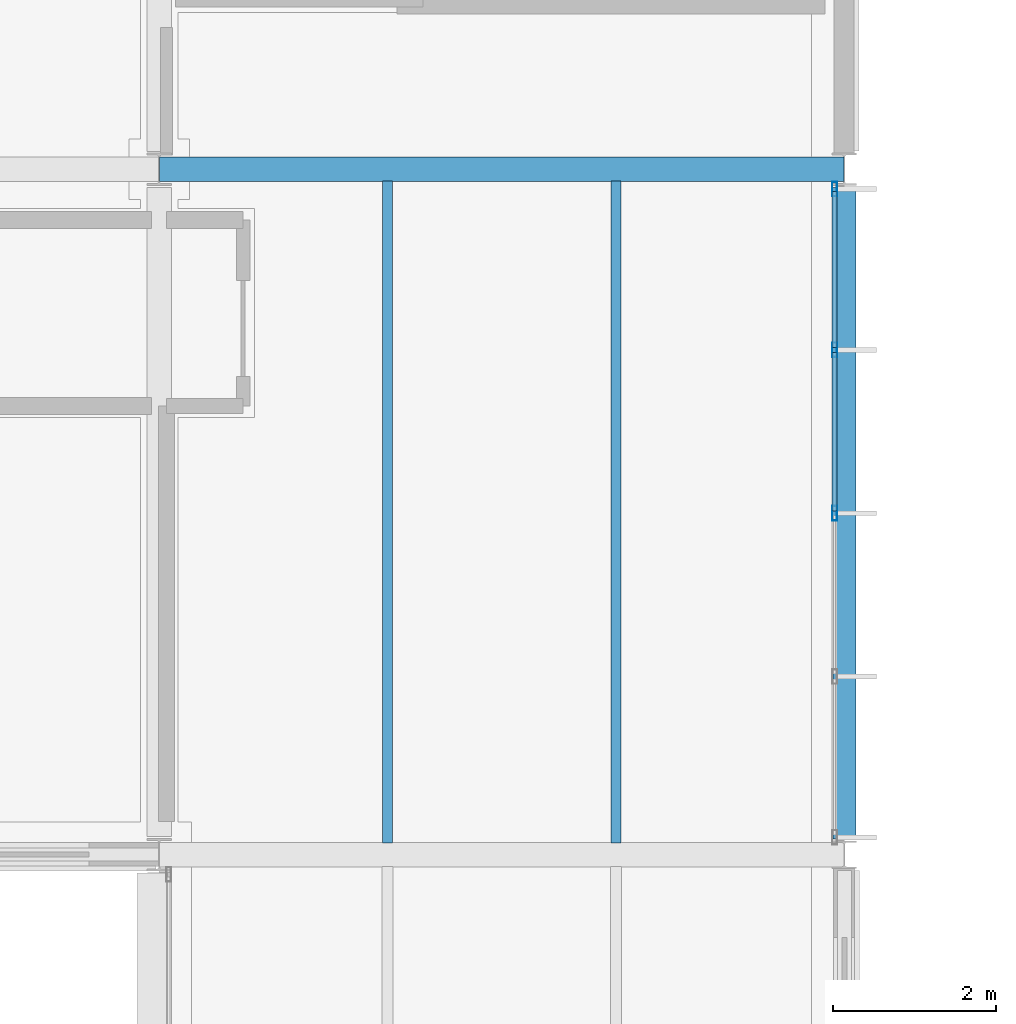
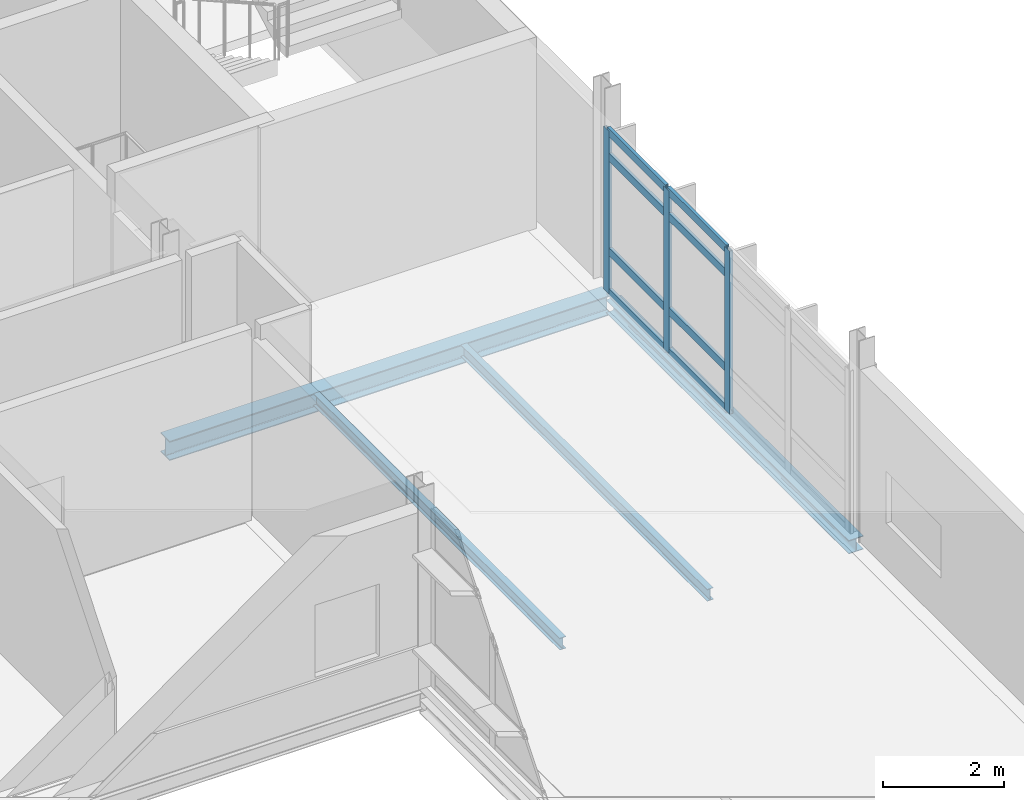
# One storey, part 43 of 66: 11 members, 4 beams, 1 element without a shape of its own.
"""IFC4 building model written with IfcOpenShell, lengths in metres."""

from ifc_helpers import new_model, si_unit, direction, frame, origin, origin_2d, place, context, subcontext, project, spatial, hollow_rectangle, i_section, extrude, material, material_profile, profile_set, type_object, element, aggregate, save


model = new_model("IFC4")

# Units and contexts
model_context = context("Model", 3, precision=1e-05, world=origin(), true_north=direction((0.0, 1.0)))
body_context = subcontext(model_context, "Body", "Model", "MODEL_VIEW")
ifc_project = project(units=[si_unit("LENGTHUNIT", "METRE"), si_unit("AREAUNIT", "SQUARE_METRE"), si_unit("VOLUMEUNIT", "CUBIC_METRE"), si_unit("PLANEANGLEUNIT", "RADIAN"), si_unit("MASSUNIT", "GRAM", prefix="KILO")], contexts=[model_context])

# Site, building, storey
site_placement = place(None, origin())
site = spatial("IfcSite", under=ifc_project, at=site_placement, CompositionType="ELEMENT")
building_placement = place(site_placement, origin())
building = spatial("IfcBuilding", under=site, at=building_placement, Name="Mersafa Astral City Hall", CompositionType="ELEMENT")
storey_placement = place(building_placement, frame((0.0, 0.0, 22.050048828125)))
storey = spatial("IfcBuildingStorey", under=building, at=storey_placement, Name="L05", CompositionType="ELEMENT", Elevation=22.050048828125)

# Curtain wall, members
ifc_material_1 = material(Name="Anodised bronze aluminium framing", Category="aluminium")
curtain_wall_type = type_object("IfcCurtainWallType", Name="ENV-CW-1", PredefinedType="USERDEFINED", material=ifc_material_1)
curtain_wall_placement = place(storey_placement, origin())
curtain_wall = element("IfcCurtainWall", 1, at=curtain_wall_placement, inside=storey, type_object=curtain_wall_type, Name="L05 Unitised solar curtain wall 228", ObjectType="UNITISED CURTAIN WALL", PredefinedType="USERDEFINED")
ifc_material_profile_1 = material_profile(ifc_material_1, hollow_rectangle(XDim=0.06005859375, YDim=0.179931640625, WallThickness=0.00390625, at=origin_2d()), Name="RHS 60x180x4")
ifc_profile_set_1 = profile_set([ifc_material_profile_1], Name="Anodised bronze aluminium framing")
member_type_1 = type_object("IfcMemberType", Name="ENV-CW-MUL-1", PredefinedType="MULLION", material=ifc_profile_set_1)
member_1_placement = place(storey_placement, frame((176.280029296875, 104.985107421875, -0.001953125), z_axis=(0.0, 0.0, 1.0), x_axis=(-1.0, 0.0, 0.0)))
member_1 = element("IfcMember", 2, at=member_1_placement, type_object=member_type_1, Name="CW-1 mullion 3", PredefinedType="MULLION", context=body_context, shape_type="SweptSolid", body=[
    extrude(hollow_rectangle(XDim=0.06005859375, YDim=0.179931640625, WallThickness=0.00390625, at=origin_2d()), origin(), (0.0, 0.0, 1.0), 3.27392578125),
])
member_2_placement = place(storey_placement, frame((176.280029296875, 106.986572265625, -0.001953125), z_axis=(0.0, 0.0, 1.0), x_axis=(-1.0, 0.0, 0.0)))
member_2 = element("IfcMember", 3, at=member_2_placement, type_object=member_type_1, Name="CW-1 mullion 4", PredefinedType="MULLION", context=body_context, shape_type="SweptSolid", body=[
    extrude(hollow_rectangle(XDim=0.06005859375, YDim=0.179931640625, WallThickness=0.00390625, at=origin_2d()), origin(), (0.0, 0.0, 1.0), 3.27392578125),
])
member_3_placement = place(storey_placement, frame((176.280029296875, 108.9580078125, -0.001953125), z_axis=(0.0, 0.0, 1.0), x_axis=(-1.0, 0.0, 0.0)))
member_3 = element("IfcMember", 4, at=member_3_placement, type_object=member_type_1, Name="CW-1 mullion 5", PredefinedType="MULLION", context=body_context, shape_type="SweptSolid", body=[
    extrude(hollow_rectangle(XDim=0.06005859375, YDim=0.179931640625, WallThickness=0.00390625, at=origin_2d()), origin(), (0.0, 0.0, 1.0), 3.27392578125),
])
ifc_material_profile_2 = material_profile(ifc_material_1, hollow_rectangle(XDim=0.06005859375, YDim=0.159912109375, WallThickness=0.00390625, at=origin_2d()), Name="RHS 60x160x4")
ifc_profile_set_2 = profile_set([ifc_material_profile_2], Name="Anodised bronze aluminium framing")
member_type_2 = type_object("IfcMemberType", Name="ENV-CW-TRN-2", PredefinedType="USERDEFINED", material=ifc_profile_set_2)
member_4_placement = place(storey_placement, frame((176.280029296875, 105.014892578125, 0.02783203125), z_axis=(0.0, 1.0, 0.0), x_axis=(-1.0, 0.0, 0.0)))
member_4 = element("IfcMember", 5, at=member_4_placement, type_object=member_type_2, Name="CW-1 transom 3.1", ObjectType="TRANSOM", PredefinedType="USERDEFINED", context=body_context, shape_type="SweptSolid", body=[
    extrude(hollow_rectangle(XDim=0.06005859375, YDim=0.159912109375, WallThickness=0.00390625, at=origin_2d()), origin(), (0.0, 0.0, 1.0), 1.941650390625),
])
member_5_placement = place(storey_placement, frame((176.280029296875, 105.014892578125, 0.849853515625), z_axis=(0.0, 1.0, 0.0), x_axis=(-1.0, 0.0, 0.0)))
member_5 = element("IfcMember", 6, at=member_5_placement, type_object=member_type_2, Name="CW-1 transom 3.2", ObjectType="TRANSOM", PredefinedType="USERDEFINED", context=body_context, shape_type="SweptSolid", body=[
    extrude(hollow_rectangle(XDim=0.06005859375, YDim=0.159912109375, WallThickness=0.00390625, at=origin_2d()), origin(), (0.0, 0.0, 1.0), 1.941650390625),
])
member_6_placement = place(storey_placement, frame((176.280029296875, 105.014892578125, 2.75), z_axis=(0.0, 1.0, 0.0), x_axis=(-1.0, 0.0, 0.0)))
member_6 = element("IfcMember", 7, at=member_6_placement, type_object=member_type_2, Name="CW-1 transom 3.3", ObjectType="TRANSOM", PredefinedType="USERDEFINED", context=body_context, shape_type="SweptSolid", body=[
    extrude(hollow_rectangle(XDim=0.06005859375, YDim=0.159912109375, WallThickness=0.00390625, at=origin_2d()), origin(), (0.0, 0.0, 1.0), 1.941650390625),
])
member_7_placement = place(storey_placement, frame((176.280029296875, 105.014892578125, 3.241943359375), z_axis=(0.0, 1.0, 0.0), x_axis=(-1.0, 0.0, 0.0)))
member_7 = element("IfcMember", 8, at=member_7_placement, type_object=member_type_2, Name="CW-1 transom 3.4", ObjectType="TRANSOM", PredefinedType="USERDEFINED", context=body_context, shape_type="SweptSolid", body=[
    extrude(hollow_rectangle(XDim=0.06005859375, YDim=0.159912109375, WallThickness=0.00390625, at=origin_2d()), origin(), (0.0, 0.0, 1.0), 1.941650390625),
])
member_8_placement = place(storey_placement, frame((176.280029296875, 107.0166015625, 0.02783203125), z_axis=(0.0, 1.0, 0.0), x_axis=(-1.0, 0.0, 0.0)))
member_8 = element("IfcMember", 9, at=member_8_placement, type_object=member_type_2, Name="CW-1 transom 4.1", ObjectType="TRANSOM", PredefinedType="USERDEFINED", context=body_context, shape_type="SweptSolid", body=[
    extrude(hollow_rectangle(XDim=0.06005859375, YDim=0.159912109375, WallThickness=0.00390625, at=origin_2d()), origin(), (0.0, 0.0, 1.0), 1.911376953125),
])
member_9_placement = place(storey_placement, frame((176.280029296875, 107.0166015625, 0.849853515625), z_axis=(0.0, 1.0, 0.0), x_axis=(-1.0, 0.0, 0.0)))
member_9 = element("IfcMember", 10, at=member_9_placement, type_object=member_type_2, Name="CW-1 transom 4.2", ObjectType="TRANSOM", PredefinedType="USERDEFINED", context=body_context, shape_type="SweptSolid", body=[
    extrude(hollow_rectangle(XDim=0.06005859375, YDim=0.159912109375, WallThickness=0.00390625, at=origin_2d()), origin(), (0.0, 0.0, 1.0), 1.911376953125),
])
member_10_placement = place(storey_placement, frame((176.280029296875, 107.0166015625, 2.75), z_axis=(0.0, 1.0, 0.0), x_axis=(-1.0, 0.0, 0.0)))
member_10 = element("IfcMember", 11, at=member_10_placement, type_object=member_type_2, Name="CW-1 transom 4.3", ObjectType="TRANSOM", PredefinedType="USERDEFINED", context=body_context, shape_type="SweptSolid", body=[
    extrude(hollow_rectangle(XDim=0.06005859375, YDim=0.159912109375, WallThickness=0.00390625, at=origin_2d()), origin(), (0.0, 0.0, 1.0), 1.911376953125),
])
member_11_placement = place(storey_placement, frame((176.280029296875, 107.0166015625, 3.241943359375), z_axis=(0.0, 1.0, 0.0), x_axis=(-1.0, 0.0, 0.0)))
member_11 = element("IfcMember", 12, at=member_11_placement, type_object=member_type_2, Name="CW-1 transom 4.4", ObjectType="TRANSOM", PredefinedType="USERDEFINED", context=body_context, shape_type="SweptSolid", body=[
    extrude(hollow_rectangle(XDim=0.06005859375, YDim=0.159912109375, WallThickness=0.00390625, at=origin_2d()), origin(), (0.0, 0.0, 1.0), 1.911376953125),
])
aggregate(curtain_wall, [member_1, member_2, member_3, member_4, member_5, member_6, member_7, member_8, member_9, member_10, member_11])

# Beams
ifc_material_2 = material(Name="Steel S355", Category="steel")
ifc_material_profile_3 = material_profile(ifc_material_2, i_section(OverallWidth=0.300048828125, OverallDepth=0.389892578125, WebThickness=0.010986328125, FlangeThickness=0.01904296875, FilletRadius=0.027099609375, at=origin_2d()), Name="HEA 400")
ifc_profile_set_3 = profile_set([ifc_material_profile_3], Name="Steel S355")
beam_type_1 = type_object("IfcBeamType", Name="STR-BM-HEA400", PredefinedType="BEAM", material=ifc_profile_set_3)
beam_1_placement = place(storey_placement, frame((168.0029296875, 109.199951171875, -0.375), z_axis=(1.0, 0.0, 0.0), x_axis=(0.0, 1.0, 0.0)))
element("IfcBeam", 13, at=beam_1_placement, inside=storey, type_object=beam_type_1, Name="L05 Primary girder X 20-13", PredefinedType="BEAM", context=body_context, shape_type="SweptSolid", body=[
    extrude(i_section(OverallWidth=0.300048828125, OverallDepth=0.389892578125, WebThickness=0.010986328125, FlangeThickness=0.01904296875, FilletRadius=0.027099609375, at=origin_2d()), origin(), (0.0, 0.0, 1.0), 8.39404296875),
])
ifc_material_profile_4 = material_profile(ifc_material_2, i_section(OverallWidth=0.1201171875, OverallDepth=0.239990234375, WebThickness=0.006103515625, FlangeThickness=0.009765625, FilletRadius=0.014892578125, at=origin_2d()), Name="IPE 240")
ifc_profile_set_4 = profile_set([ifc_material_profile_4], Name="Steel S355")
beam_type_2 = type_object("IfcBeamType", Name="STR-BM-JOIST-IPE240", PredefinedType="JOIST", material=ifc_profile_set_4)
for number, where, z_axis, x_axis, name in (
    (14, (170.800048828125, 100.945068359375, -0.300048828125), (0.0, 1.0, 0.0), (-1.0, 0.0, 0.0), "L05 Composite secondary floor joist 838"),
    (15, (173.60009765625, 100.945068359375, -0.300048828125), (0.0, 1.0, 0.0), (-1.0, 0.0, 0.0), "L05 Composite secondary floor joist 839"),
):
    element("IfcBeam", number, at=place(storey_placement, frame(where, z_axis=z_axis, x_axis=x_axis)), inside=storey, type_object=beam_type_2, Name=name, PredefinedType="JOIST", context=body_context, shape_type="SweptSolid", body=[
        extrude(i_section(OverallWidth=0.1201171875, OverallDepth=0.239990234375, WebThickness=0.006103515625, FlangeThickness=0.009765625, FilletRadius=0.014892578125, at=origin_2d()), origin(), (0.0, 0.0, 1.0), 8.10986328125),
    ])
ifc_material_profile_5 = material_profile(ifc_material_2, i_section(OverallWidth=0.280029296875, OverallDepth=0.27001953125, WebThickness=0.008056640625, FlangeThickness=0.012939453125, FilletRadius=0.02392578125, at=origin_2d()), Name="HEA 280")
ifc_profile_set_5 = profile_set([ifc_material_profile_5], Name="Steel S355")
beam_type_3 = type_object("IfcBeamType", Name="STR-BM-SPANDREL-HEA280", PredefinedType="SPANDREL", material=ifc_profile_set_5)
beam_2_placement = place(storey_placement, frame((176.39990234375, 100.9951171875, -0.31494140625), z_axis=(0.0, 1.0, 0.0), x_axis=(-1.0, 0.0, 0.0)))
element("IfcBeam", 16, at=beam_2_placement, inside=storey, type_object=beam_type_3, Name="L05 Primary girder Y 21-12", PredefinedType="SPANDREL", context=body_context, shape_type="SweptSolid", body=[
    extrude(i_section(OverallWidth=0.280029296875, OverallDepth=0.27001953125, WebThickness=0.008056640625, FlangeThickness=0.012939453125, FilletRadius=0.02392578125, at=origin_2d()), origin(), (0.0, 0.0, 1.0), 7.98486328125),
])

save(model, "model.ifc")
